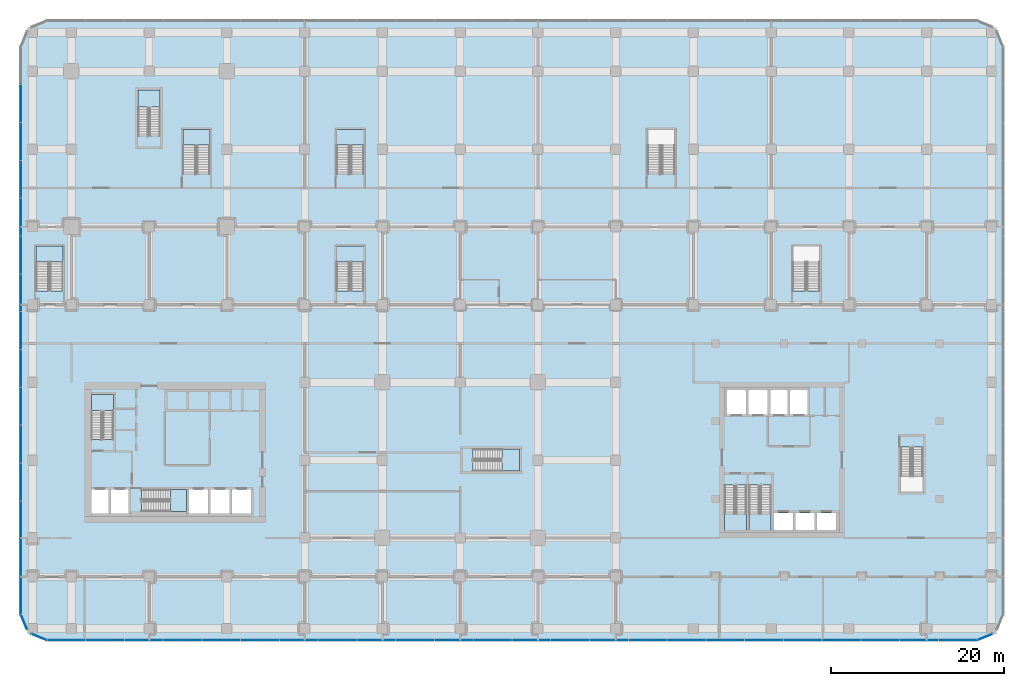
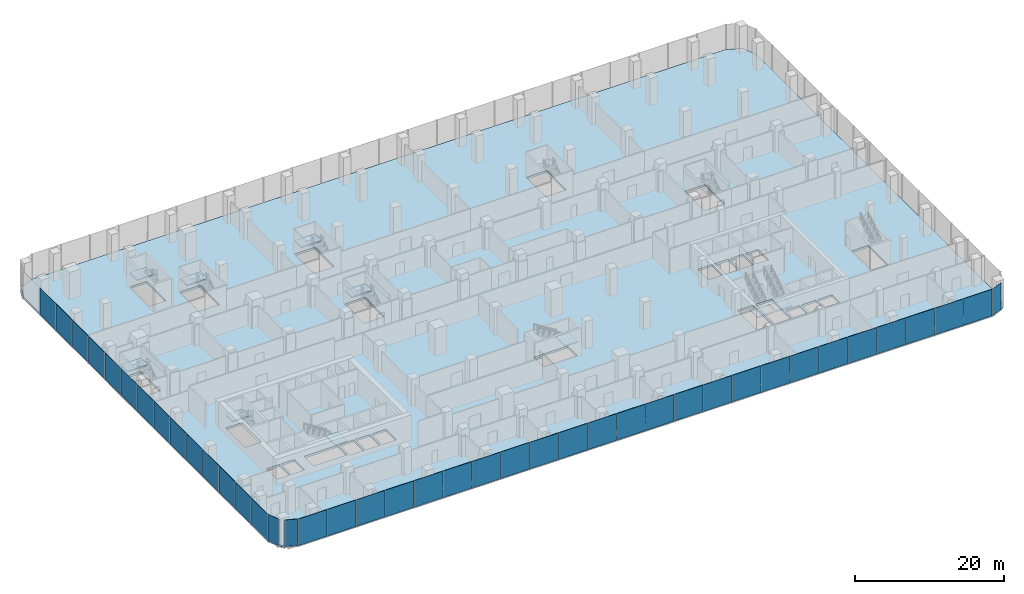
# One storey, part 26 of 43: 41 plates, 11 slabs, 15 elements without a shape of their own.
"""IFC4 building model written with IfcOpenShell, lengths in metres."""

import ifcopenshell
import ifcopenshell.guid

model = None  # the IFC model being written
_history = None  # IfcOwnerHistory: only IFC2X3 demands one
_inside = {}  # id of a spatial element -> (the spatial element, [elements in it])
_under = {}  # id of a project, library or spatial element -> (it, [spatial elements below it])
_declared = {}  # id of a project -> (the project, [libraries it declares])
_typed = {}  # id of a type object -> (the type object, [elements of that type])
_made_of = {}  # id of a material, layer set ... -> (it, [elements and type objects made of it])


def new_model(schema):
    """Start an empty IFC model of exactly this schema.

    Asked for "IFC4X3", IfcOpenShell would pick the latest addendum, in which some entities
    have other attributes; the version numbers below select the first issue.
    IFC2X3 requires an IfcOwnerHistory on every rooted entity: one is made here for all.
    """
    global model, _history
    if schema == "IFC4X3":
        model = ifcopenshell.file(schema_version=(4, 3, 0, 0))
    else:
        model = ifcopenshell.file(schema=schema)
    _inside.clear()
    _under.clear()
    _declared.clear()
    _typed.clear()
    _made_of.clear()
    _history = None
    if model.schema == "IFC2X3":
        org = make("IfcOrganization", Name="unknown")
        user = make(
            "IfcPersonAndOrganization",
            ThePerson=make("IfcPerson", FamilyName="unknown"),
            TheOrganization=org,
        )
        app = make(
            "IfcApplication",
            ApplicationDeveloper=org,
            Version="unknown",
            ApplicationFullName="unknown",
            ApplicationIdentifier="unknown",
        )
        _history = make(
            "IfcOwnerHistory",
            OwningUser=user,
            OwningApplication=app,
            ChangeAction="ADDED",
            CreationDate=0,
        )
    return model


def make(cls, **values):
    """One entity of the class cls with the attributes given. An attribute that is None is left unset."""
    return model.create_entity(
        cls, **{name: value for name, value in values.items() if value is not None}
    )


def rooted(cls, **values):
    """An entity with a GlobalId (a new one), such as an element, a storey or a relation."""
    return make(cls, GlobalId=ifcopenshell.guid.new(), OwnerHistory=_history, **values)


def si_unit(unit_type, name, prefix=None):
    """IfcSIUnit, for example si_unit("LENGTHUNIT", "METRE", prefix="MILLI")."""
    return make("IfcSIUnit", UnitType=unit_type, Prefix=prefix, Name=name)


def assignment(units):
    """IfcUnitAssignment: the units of a project."""
    return None if units is None else make("IfcUnitAssignment", Units=units)


def point(xyz):
    """IfcCartesianPoint."""
    return None if xyz is None else make("IfcCartesianPoint", Coordinates=xyz)


def direction(xyz):
    """IfcDirection."""
    return None if xyz is None else make("IfcDirection", DirectionRatios=xyz)


def frame(location, z_axis=None, x_axis=None):
    """IfcAxis2Placement3D, a coordinate frame: its origin and axes. An axis left out is left unset."""
    return make(
        "IfcAxis2Placement3D",
        Location=point(location),
        Axis=direction(z_axis),
        RefDirection=direction(x_axis),
    )


def frame_2d(location, x_axis=None):
    """IfcAxis2Placement2D, a coordinate frame in the plane: its origin and x axis."""
    return make(
        "IfcAxis2Placement2D", Location=point(location), RefDirection=direction(x_axis)
    )


def origin():
    """The frame at (0, 0, 0) with its axes left unset."""
    return frame((0.0, 0.0, 0.0))


def origin_2d():
    """The frame at (0, 0) in the plane with its x axis left unset."""
    return frame_2d((0.0, 0.0))


def place(relative_to, where):
    """IfcLocalPlacement: puts the frame where relative to a parent placement (None: the world)."""
    return make(
        "IfcLocalPlacement", PlacementRelTo=relative_to, RelativePlacement=where
    )


def context(
    kind, dimensions, precision=None, world=None, true_north=None, identifier=None
):
    """IfcGeometricRepresentationContext, for example the 3D "Model" context."""
    return make(
        "IfcGeometricRepresentationContext",
        ContextIdentifier=identifier,
        ContextType=kind,
        CoordinateSpaceDimension=dimensions,
        Precision=precision,
        WorldCoordinateSystem=world,
        TrueNorth=true_north,
    )


def subcontext(parent, identifier, kind, view, scale=None):
    """IfcGeometricRepresentationSubContext, for example "Body" below "Model"."""
    return make(
        "IfcGeometricRepresentationSubContext",
        ContextIdentifier=identifier,
        ContextType=kind,
        ParentContext=parent,
        TargetScale=scale,
        TargetView=view,
    )


def project(units=None, contexts=None):
    """IfcProject with its units and contexts."""
    return rooted(
        "IfcProject",
        Name="project",
        RepresentationContexts=contexts,
        UnitsInContext=assignment(units),
    )


def spatial(cls, under=None, at=None, **own):
    """A site, building, storey or space (cls), placed at a placement, below another one or the project."""
    s = rooted(cls, ObjectPlacement=at, **own)
    if under is not None:
        _under.setdefault(under.id(), (under, []))[1].append(s)
    return s


def polyline(points):
    """IfcPolyline through the points."""
    return make("IfcPolyline", Points=[point(p) for p in points])


def profile(cls, at=None, kind="AREA", **sizes):
    """A parametric profile (cls). Its sizes go by their IFC names, for example OverallWidth=200.0."""
    return make(cls, ProfileType=kind, Position=at, **sizes)


def rectangle(**sizes):
    """IfcRectangleProfileDef."""
    return profile("IfcRectangleProfileDef", **sizes)


def outline(outer, holes=None, kind="AREA"):
    """IfcArbitraryClosedProfileDef: a profile drawn as a closed curve; with holes, ...WithVoids."""
    if holes is None:
        return make("IfcArbitraryClosedProfileDef", ProfileType=kind, OuterCurve=outer)
    return make(
        "IfcArbitraryProfileDefWithVoids",
        ProfileType=kind,
        OuterCurve=outer,
        InnerCurves=holes,
    )


def extrude(swept, where, along, depth):
    """IfcExtrudedAreaSolid: the profile swept, set in the frame where, extruded along a direction by depth."""
    return make(
        "IfcExtrudedAreaSolid",
        SweptArea=swept,
        Position=where,
        ExtrudedDirection=direction(along),
        Depth=depth,
    )


def shape(context_of_items, identifier, shape_type, items):
    """IfcShapeRepresentation: the items that make up one representation, for example the "Body"."""
    return make(
        "IfcShapeRepresentation",
        ContextOfItems=context_of_items,
        RepresentationIdentifier=identifier,
        RepresentationType=shape_type,
        Items=items,
    )


def material(Name=None, Category=None):
    """IfcMaterial."""
    return make("IfcMaterial", Name=Name, Category=Category)


def layer(
    of_material, thickness, ventilated=None, Name=None, Category=None, Priority=None
):
    """IfcMaterialLayer: one layer of a wall or slab, of a material (None: an air gap)."""
    return make(
        "IfcMaterialLayer",
        Material=of_material,
        LayerThickness=thickness,
        IsVentilated=ventilated,
        Name=Name,
        Category=Category,
        Priority=Priority,
    )


def layer_set(layers, Name=None):
    """IfcMaterialLayerSet."""
    return make("IfcMaterialLayerSet", MaterialLayers=layers, LayerSetName=Name)


def made_of(thing, what):
    """Note that an element or type object is made of a material, layer set ...; save() writes the relation."""
    if what is not None:
        _made_of.setdefault(what.id(), (what, []))[1].append(thing)
    return thing


def type_object(cls, material=None, **own):
    """A type object (cls), such as IfcWallType, which elements share."""
    return made_of(rooted(cls, **own), material)


def element(
    cls,
    number,
    at=None,
    inside=None,
    cuts=None,
    type_object=None,
    material=None,
    context=None,
    identifier="Body",
    shape_type=None,
    held_by="IfcProductDefinitionShape",
    body=None,
    shapes=None,
    **own,
):
    """One element of the class cls, such as IfcWall. Its Tag is "e" and its number.

    at: its placement. inside: the storey or other place that contains it. cuts: it is an
    opening in that element (IfcRelVoidsElement). A single representation is given by context,
    identifier, shape_type and body (its items); several are given by shapes. held_by: the class
    of the entity that holds the representations. save() writes the other relations.
    """
    e = rooted(cls, Tag="e%d" % number, ObjectPlacement=at, **own)
    if body is not None:
        shapes = [shape(context, identifier, shape_type, body)]
    if shapes is not None:
        e.Representation = make(held_by, Representations=shapes)
    if inside is not None:
        _inside.setdefault(inside.id(), (inside, []))[1].append(e)
    if cuts is not None:
        rooted(
            "IfcRelVoidsElement", RelatingBuildingElement=cuts, RelatedOpeningElement=e
        )
    if type_object is not None:
        _typed.setdefault(type_object.id(), (type_object, []))[1].append(e)
    return made_of(e, material)


def aggregate(whole, parts):
    """IfcRelAggregates: a whole, such as a stair, and the parts it consists of."""
    return rooted("IfcRelAggregates", RelatingObject=whole, RelatedObjects=parts)


def save(model, path):
    """Write the relations noted so far, then the file.

    IfcRelAggregates (storeys below a building ...), IfcRelContainedInSpatialStructure (elements
    in a storey), IfcRelDefinesByType, IfcRelAssociatesMaterial and IfcRelDeclares: one each for
    every whole, place, type object, material and project.
    """
    for whole, parts in _under.values():
        aggregate(whole, parts)
    for where, things in _inside.values():
        rooted(
            "IfcRelContainedInSpatialStructure",
            RelatedElements=things,
            RelatingStructure=where,
        )
    for kind, things in _typed.values():
        rooted("IfcRelDefinesByType", RelatedObjects=things, RelatingType=kind)
    for what, things in _made_of.values():
        rooted("IfcRelAssociatesMaterial", RelatedObjects=things, RelatingMaterial=what)
    for by, libraries in _declared.values():
        rooted("IfcRelDeclares", RelatingContext=by, RelatedDefinitions=libraries)
    model.write(path)


model = new_model("IFC4")

# Units and contexts
model_context = context("Model", 3, precision=1e-05, world=origin(), true_north=direction((0.0, 1.0)))
body_context = subcontext(model_context, "Body", "Model", "MODEL_VIEW")
ifc_project = project(units=[si_unit("LENGTHUNIT", "METRE"), si_unit("AREAUNIT", "SQUARE_METRE"), si_unit("VOLUMEUNIT", "CUBIC_METRE"), si_unit("PLANEANGLEUNIT", "RADIAN"), si_unit("MASSUNIT", "GRAM", prefix="KILO")], contexts=[model_context])

# Site, building, storey
site_placement = place(None, origin())
site = spatial("IfcSite", under=ifc_project, at=site_placement, CompositionType="ELEMENT")
building_placement = place(site_placement, origin())
building = spatial("IfcBuilding", under=site, at=building_placement, Name="Plateau Cross Towers", CompositionType="ELEMENT")
storey_placement = place(building_placement, frame((0.0, 0.0, 12.800048828125)))
storey = spatial("IfcBuildingStorey", under=building, at=storey_placement, Name="L02", CompositionType="ELEMENT", Elevation=12.800048828125)

# Curtain wall, plates
ifc_material_1 = material(Name="Dark low-iron laminated glass", Category="glass")
ifc_layer_1 = layer(ifc_material_1, 0.300048828125)
ifc_layer_set_1 = layer_set([ifc_layer_1], Name="Dark low-iron laminated glass")
curtain_wall_type = type_object("IfcCurtainWallType", Name="Curtain wall structural silicone CW-C", PredefinedType="NOTDEFINED", material=ifc_layer_set_1)
curtain_wall_1_placement = place(storey_placement, origin())
curtain_wall_1 = element("IfcCurtainWall", 1, at=curtain_wall_1_placement, inside=storey, type_object=curtain_wall_type, Name="ENV/P/L02/P-28_-118", PredefinedType="NOTDEFINED")
ifc_layer_2 = layer(ifc_material_1, 0.0439453125)
ifc_layer_set_2 = layer_set([ifc_layer_2], Name="Dark low-iron laminated glass")
plate_type = type_object("IfcPlateType", Name="Glass panel 44 structural silicone", PredefinedType="CURTAIN_PANEL", material=ifc_layer_set_2)
plate_1_placement = place(storey_placement, frame((-0.606201171875, -11.85009765625, -0.2001953125), z_axis=(0.0, 0.0, 1.0), x_axis=(1.0, 0.0, 0.0)))
plate_1 = element("IfcPlate", 2, at=plate_1_placement, type_object=plate_type, Name="CW-C panel 1", PredefinedType="CURTAIN_PANEL", context=body_context, shape_type="SweptSolid", body=[
    extrude(rectangle(XDim=4.4375, YDim=0.0439453125, at=origin_2d()), origin(), (0.0, 0.0, 1.0), 4.35009765625),
])
plate_2_placement = place(storey_placement, frame((3.88134765625, -11.85009765625, -0.2001953125), z_axis=(0.0, 0.0, 1.0), x_axis=(1.0, 0.0, 0.0)))
plate_2 = element("IfcPlate", 3, at=plate_2_placement, type_object=plate_type, Name="CW-C panel 2", PredefinedType="CURTAIN_PANEL", context=body_context, shape_type="SweptSolid", body=[
    extrude(rectangle(XDim=4.4375, YDim=0.0439453125, at=origin_2d()), origin(), (0.0, 0.0, 1.0), 4.35009765625),
])
plate_3_placement = place(storey_placement, frame((8.36865234375, -11.85009765625, -0.2001953125), z_axis=(0.0, 0.0, 1.0), x_axis=(1.0, 0.0, 0.0)))
plate_3 = element("IfcPlate", 4, at=plate_3_placement, type_object=plate_type, Name="CW-C panel 3", PredefinedType="CURTAIN_PANEL", context=body_context, shape_type="SweptSolid", body=[
    extrude(rectangle(XDim=4.4375, YDim=0.0439453125, at=origin_2d()), origin(), (0.0, 0.0, 1.0), 4.35009765625),
])
plate_4_placement = place(storey_placement, frame((12.856201171875, -11.85009765625, -0.2001953125), z_axis=(0.0, 0.0, 1.0), x_axis=(1.0, 0.0, 0.0)))
plate_4 = element("IfcPlate", 5, at=plate_4_placement, type_object=plate_type, Name="CW-C panel 4", PredefinedType="CURTAIN_PANEL", context=body_context, shape_type="SweptSolid", body=[
    extrude(rectangle(XDim=4.4375, YDim=0.0439453125, at=origin_2d()), origin(), (0.0, 0.0, 1.0), 4.35009765625),
])
plate_5_placement = place(storey_placement, frame((17.34375, -11.85009765625, -0.2001953125), z_axis=(0.0, 0.0, 1.0), x_axis=(1.0, 0.0, 0.0)))
plate_5 = element("IfcPlate", 6, at=plate_5_placement, type_object=plate_type, Name="CW-C panel 5", PredefinedType="CURTAIN_PANEL", context=body_context, shape_type="SweptSolid", body=[
    extrude(rectangle(XDim=4.4375, YDim=0.0439453125, at=origin_2d()), origin(), (0.0, 0.0, 1.0), 4.35009765625),
])
plate_6_placement = place(storey_placement, frame((21.831298828125, -11.85009765625, -0.2001953125), z_axis=(0.0, 0.0, 1.0), x_axis=(1.0, 0.0, 0.0)))
plate_6 = element("IfcPlate", 7, at=plate_6_placement, type_object=plate_type, Name="CW-C panel 6", PredefinedType="CURTAIN_PANEL", context=body_context, shape_type="SweptSolid", body=[
    extrude(rectangle(XDim=4.4375, YDim=0.0439453125, at=origin_2d()), origin(), (0.0, 0.0, 1.0), 4.35009765625),
])
plate_7_placement = place(storey_placement, frame((26.31884765625, -11.85009765625, -0.2001953125), z_axis=(0.0, 0.0, 1.0), x_axis=(1.0, 0.0, 0.0)))
plate_7 = element("IfcPlate", 8, at=plate_7_placement, type_object=plate_type, Name="CW-C panel 7", PredefinedType="CURTAIN_PANEL", context=body_context, shape_type="SweptSolid", body=[
    extrude(rectangle(XDim=4.4375, YDim=0.0439453125, at=origin_2d()), origin(), (0.0, 0.0, 1.0), 4.35009765625),
])
plate_8_placement = place(storey_placement, frame((30.80615234375, -11.85009765625, -0.2001953125), z_axis=(0.0, 0.0, 1.0), x_axis=(1.0, 0.0, 0.0)))
plate_8 = element("IfcPlate", 9, at=plate_8_placement, type_object=plate_type, Name="CW-C panel 8", PredefinedType="CURTAIN_PANEL", context=body_context, shape_type="SweptSolid", body=[
    extrude(rectangle(XDim=4.4375, YDim=0.0439453125, at=origin_2d()), origin(), (0.0, 0.0, 1.0), 4.35009765625),
])
plate_9_placement = place(storey_placement, frame((35.293701171875, -11.85009765625, -0.2001953125), z_axis=(0.0, 0.0, 1.0), x_axis=(1.0, 0.0, 0.0)))
plate_9 = element("IfcPlate", 10, at=plate_9_placement, type_object=plate_type, Name="CW-C panel 9", PredefinedType="CURTAIN_PANEL", context=body_context, shape_type="SweptSolid", body=[
    extrude(rectangle(XDim=4.4375, YDim=0.0439453125, at=origin_2d()), origin(), (0.0, 0.0, 1.0), 4.35009765625),
])
plate_10_placement = place(storey_placement, frame((39.78125, -11.85009765625, -0.2001953125), z_axis=(0.0, 0.0, 1.0), x_axis=(1.0, 0.0, 0.0)))
plate_10 = element("IfcPlate", 11, at=plate_10_placement, type_object=plate_type, Name="CW-C panel 10", PredefinedType="CURTAIN_PANEL", context=body_context, shape_type="SweptSolid", body=[
    extrude(rectangle(XDim=4.4375, YDim=0.0439453125, at=origin_2d()), origin(), (0.0, 0.0, 1.0), 4.35009765625),
])
plate_11_placement = place(storey_placement, frame((44.268798828125, -11.85009765625, -0.2001953125), z_axis=(0.0, 0.0, 1.0), x_axis=(1.0, 0.0, 0.0)))
plate_11 = element("IfcPlate", 12, at=plate_11_placement, type_object=plate_type, Name="CW-C panel 11", PredefinedType="CURTAIN_PANEL", context=body_context, shape_type="SweptSolid", body=[
    extrude(rectangle(XDim=4.4375, YDim=0.0439453125, at=origin_2d()), origin(), (0.0, 0.0, 1.0), 4.35009765625),
])
plate_12_placement = place(storey_placement, frame((48.75634765625, -11.85009765625, -0.2001953125), z_axis=(0.0, 0.0, 1.0), x_axis=(1.0, 0.0, 0.0)))
plate_12 = element("IfcPlate", 13, at=plate_12_placement, type_object=plate_type, Name="CW-C panel 12", PredefinedType="CURTAIN_PANEL", context=body_context, shape_type="SweptSolid", body=[
    extrude(rectangle(XDim=4.4375, YDim=0.0439453125, at=origin_2d()), origin(), (0.0, 0.0, 1.0), 4.35009765625),
])
plate_13_placement = place(storey_placement, frame((53.24365234375, -11.85009765625, -0.2001953125), z_axis=(0.0, 0.0, 1.0), x_axis=(1.0, 0.0, 0.0)))
plate_13 = element("IfcPlate", 14, at=plate_13_placement, type_object=plate_type, Name="CW-C panel 13", PredefinedType="CURTAIN_PANEL", context=body_context, shape_type="SweptSolid", body=[
    extrude(rectangle(XDim=4.4375, YDim=0.0439453125, at=origin_2d()), origin(), (0.0, 0.0, 1.0), 4.35009765625),
])
plate_14_placement = place(storey_placement, frame((57.731201171875, -11.85009765625, -0.2001953125), z_axis=(0.0, 0.0, 1.0), x_axis=(1.0, 0.0, 0.0)))
plate_14 = element("IfcPlate", 15, at=plate_14_placement, type_object=plate_type, Name="CW-C panel 14", PredefinedType="CURTAIN_PANEL", context=body_context, shape_type="SweptSolid", body=[
    extrude(rectangle(XDim=4.4375, YDim=0.0439453125, at=origin_2d()), origin(), (0.0, 0.0, 1.0), 4.35009765625),
])
plate_15_placement = place(storey_placement, frame((62.21875, -11.85009765625, -0.2001953125), z_axis=(0.0, 0.0, 1.0), x_axis=(1.0, 0.0, 0.0)))
plate_15 = element("IfcPlate", 16, at=plate_15_placement, type_object=plate_type, Name="CW-C panel 15", PredefinedType="CURTAIN_PANEL", context=body_context, shape_type="SweptSolid", body=[
    extrude(rectangle(XDim=4.4375, YDim=0.0439453125, at=origin_2d()), origin(), (0.0, 0.0, 1.0), 4.35009765625),
])
plate_16_placement = place(storey_placement, frame((66.706298828125, -11.85009765625, -0.2001953125), z_axis=(0.0, 0.0, 1.0), x_axis=(1.0, 0.0, 0.0)))
plate_16 = element("IfcPlate", 17, at=plate_16_placement, type_object=plate_type, Name="CW-C panel 16", PredefinedType="CURTAIN_PANEL", context=body_context, shape_type="SweptSolid", body=[
    extrude(rectangle(XDim=4.4375, YDim=0.0439453125, at=origin_2d()), origin(), (0.0, 0.0, 1.0), 4.35009765625),
])
plate_17_placement = place(storey_placement, frame((71.19384765625, -11.85009765625, -0.2001953125), z_axis=(0.0, 0.0, 1.0), x_axis=(1.0, 0.0, 0.0)))
plate_17 = element("IfcPlate", 18, at=plate_17_placement, type_object=plate_type, Name="CW-C panel 17", PredefinedType="CURTAIN_PANEL", context=body_context, shape_type="SweptSolid", body=[
    extrude(rectangle(XDim=4.4375, YDim=0.0439453125, at=origin_2d()), origin(), (0.0, 0.0, 1.0), 4.35009765625),
])
plate_18_placement = place(storey_placement, frame((75.68115234375, -11.85009765625, -0.2001953125), z_axis=(0.0, 0.0, 1.0), x_axis=(1.0, 0.0, 0.0)))
plate_18 = element("IfcPlate", 19, at=plate_18_placement, type_object=plate_type, Name="CW-C panel 18", PredefinedType="CURTAIN_PANEL", context=body_context, shape_type="SweptSolid", body=[
    extrude(rectangle(XDim=4.4375, YDim=0.0439453125, at=origin_2d()), origin(), (0.0, 0.0, 1.0), 4.35009765625),
])
plate_19_placement = place(storey_placement, frame((80.168701171875, -11.85009765625, -0.2001953125), z_axis=(0.0, 0.0, 1.0), x_axis=(1.0, 0.0, 0.0)))
plate_19 = element("IfcPlate", 20, at=plate_19_placement, type_object=plate_type, Name="CW-C panel 19", PredefinedType="CURTAIN_PANEL", context=body_context, shape_type="SweptSolid", body=[
    extrude(rectangle(XDim=4.4375, YDim=0.0439453125, at=origin_2d()), origin(), (0.0, 0.0, 1.0), 4.35009765625),
])
plate_20_placement = place(storey_placement, frame((84.65625, -11.85009765625, -0.2001953125), z_axis=(0.0, 0.0, 1.0), x_axis=(1.0, 0.0, 0.0)))
plate_20 = element("IfcPlate", 21, at=plate_20_placement, type_object=plate_type, Name="CW-C panel 20", PredefinedType="CURTAIN_PANEL", context=body_context, shape_type="SweptSolid", body=[
    extrude(rectangle(XDim=4.4375, YDim=0.0439453125, at=origin_2d()), origin(), (0.0, 0.0, 1.0), 4.35009765625),
])
plate_21_placement = place(storey_placement, frame((89.143798828125, -11.85009765625, -0.2001953125), z_axis=(0.0, 0.0, 1.0), x_axis=(1.0, 0.0, 0.0)))
plate_21 = element("IfcPlate", 22, at=plate_21_placement, type_object=plate_type, Name="CW-C panel 21", PredefinedType="CURTAIN_PANEL", context=body_context, shape_type="SweptSolid", body=[
    extrude(rectangle(XDim=4.4375, YDim=0.0439453125, at=origin_2d()), origin(), (0.0, 0.0, 1.0), 4.35009765625),
])
plate_22_placement = place(storey_placement, frame((93.63134765625, -11.85009765625, -0.2001953125), z_axis=(0.0, 0.0, 1.0), x_axis=(1.0, 0.0, 0.0)))
plate_22 = element("IfcPlate", 23, at=plate_22_placement, type_object=plate_type, Name="CW-C panel 22", PredefinedType="CURTAIN_PANEL", context=body_context, shape_type="SweptSolid", body=[
    extrude(rectangle(XDim=4.4375, YDim=0.0439453125, at=origin_2d()), origin(), (0.0, 0.0, 1.0), 4.35009765625),
])
plate_23_placement = place(storey_placement, frame((98.11865234375, -11.85009765625, -0.2001953125), z_axis=(0.0, 0.0, 1.0), x_axis=(1.0, 0.0, 0.0)))
plate_23 = element("IfcPlate", 24, at=plate_23_placement, type_object=plate_type, Name="CW-C panel 23", PredefinedType="CURTAIN_PANEL", context=body_context, shape_type="SweptSolid", body=[
    extrude(rectangle(XDim=4.4375, YDim=0.0439453125, at=origin_2d()), origin(), (0.0, 0.0, 1.0), 4.35009765625),
])
plate_24_placement = place(storey_placement, frame((102.606201171875, -11.85009765625, -0.2001953125), z_axis=(0.0, 0.0, 1.0), x_axis=(1.0, 0.0, 0.0)))
plate_24 = element("IfcPlate", 25, at=plate_24_placement, type_object=plate_type, Name="CW-C panel 24", PredefinedType="CURTAIN_PANEL", context=body_context, shape_type="SweptSolid", body=[
    extrude(rectangle(XDim=4.4375, YDim=0.0439453125, at=origin_2d()), origin(), (0.0, 0.0, 1.0), 4.35009765625),
])
aggregate(curtain_wall_1, [plate_1, plate_2, plate_3, plate_4, plate_5, plate_6, plate_7, plate_8, plate_9, plate_10, plate_11, plate_12, plate_13, plate_14, plate_15, plate_16, plate_17, plate_18, plate_19, plate_20, plate_21, plate_22, plate_23, plate_24])

# Curtain wall, plate
curtain_wall_2_placement = place(storey_placement, origin())
curtain_wall_2 = element("IfcCurtainWall", 26, at=curtain_wall_2_placement, inside=storey, type_object=curtain_wall_type, Name="ENV/P/L02/P1048_-118", PredefinedType="NOTDEFINED")
plate_25_placement = place(storey_placement, frame((105.731201171875, -11.485107421875, -0.2001953125), z_axis=(0.0, 0.0, 1.0), x_axis=(0.923879457699, 0.382683612978, 0.0)))
plate_25 = element("IfcPlate", 27, at=plate_25_placement, type_object=plate_type, Name="CW-C panel 1", PredefinedType="CURTAIN_PANEL", context=body_context, shape_type="SweptSolid", body=[
    extrude(rectangle(XDim=1.857666015625, YDim=0.0439453125, at=origin_2d()), origin(), (0.0, 0.0, 1.0), 4.35009765625),
])
aggregate(curtain_wall_2, [plate_25])

# Curtain wall, plates
curtain_wall_3_placement = place(storey_placement, origin())
curtain_wall_3 = element("IfcCurtainWall", 28, at=curtain_wall_3_placement, inside=storey, type_object=curtain_wall_type, Name="ENV/P/L02/P-58_568", PredefinedType="NOTDEFINED")
plate_26_placement = place(storey_placement, frame((-5.85009765625, 50.280029296875, -0.2001953125), z_axis=(0.0, 0.0, 1.0), x_axis=(0.0, -1.0, 0.0)))
plate_26 = element("IfcPlate", 29, at=plate_26_placement, type_object=plate_type, Name="CW-C panel 2", PredefinedType="CURTAIN_PANEL", context=body_context, shape_type="SweptSolid", body=[
    extrude(rectangle(XDim=4.330078125, YDim=0.0439453125, at=origin_2d()), origin(), (0.0, 0.0, 1.0), 4.35009765625),
])
plate_27_placement = place(storey_placement, frame((-5.85009765625, 45.89990234375, -0.2001953125), z_axis=(0.0, 0.0, 1.0), x_axis=(0.0, -1.0, 0.0)))
plate_27 = element("IfcPlate", 30, at=plate_27_placement, type_object=plate_type, Name="CW-C panel 3", PredefinedType="CURTAIN_PANEL", context=body_context, shape_type="SweptSolid", body=[
    extrude(rectangle(XDim=4.330078125, YDim=0.0439453125, at=origin_2d()), origin(), (0.0, 0.0, 1.0), 4.35009765625),
])
plate_28_placement = place(storey_placement, frame((-5.85009765625, 41.52001953125, -0.2001953125), z_axis=(0.0, 0.0, 1.0), x_axis=(0.0, -1.0, 0.0)))
plate_28 = element("IfcPlate", 31, at=plate_28_placement, type_object=plate_type, Name="CW-C panel 4", PredefinedType="CURTAIN_PANEL", context=body_context, shape_type="SweptSolid", body=[
    extrude(rectangle(XDim=4.330078125, YDim=0.0439453125, at=origin_2d()), origin(), (0.0, 0.0, 1.0), 4.35009765625),
])
plate_29_placement = place(storey_placement, frame((-5.85009765625, 37.139892578125, -0.2001953125), z_axis=(0.0, 0.0, 1.0), x_axis=(0.0, -1.0, 0.0)))
plate_29 = element("IfcPlate", 32, at=plate_29_placement, type_object=plate_type, Name="CW-C panel 5", PredefinedType="CURTAIN_PANEL", context=body_context, shape_type="SweptSolid", body=[
    extrude(rectangle(XDim=4.330078125, YDim=0.0439453125, at=origin_2d()), origin(), (0.0, 0.0, 1.0), 4.35009765625),
])
plate_30_placement = place(storey_placement, frame((-5.85009765625, 32.760009765625, -0.2001953125), z_axis=(0.0, 0.0, 1.0), x_axis=(0.0, -1.0, 0.0)))
plate_30 = element("IfcPlate", 33, at=plate_30_placement, type_object=plate_type, Name="CW-C panel 6", PredefinedType="CURTAIN_PANEL", context=body_context, shape_type="SweptSolid", body=[
    extrude(rectangle(XDim=4.330078125, YDim=0.0439453125, at=origin_2d()), origin(), (0.0, 0.0, 1.0), 4.35009765625),
])
plate_31_placement = place(storey_placement, frame((-5.85009765625, 28.3798828125, -0.2001953125), z_axis=(0.0, 0.0, 1.0), x_axis=(0.0, -1.0, 0.0)))
plate_31 = element("IfcPlate", 34, at=plate_31_placement, type_object=plate_type, Name="CW-C panel 7", PredefinedType="CURTAIN_PANEL", context=body_context, shape_type="SweptSolid", body=[
    extrude(rectangle(XDim=4.330078125, YDim=0.0439453125, at=origin_2d()), origin(), (0.0, 0.0, 1.0), 4.35009765625),
])
plate_32_placement = place(storey_placement, frame((-5.85009765625, 24.0, -0.2001953125), z_axis=(0.0, 0.0, 1.0), x_axis=(0.0, -1.0, 0.0)))
plate_32 = element("IfcPlate", 35, at=plate_32_placement, type_object=plate_type, Name="CW-C panel 8", PredefinedType="CURTAIN_PANEL", context=body_context, shape_type="SweptSolid", body=[
    extrude(rectangle(XDim=4.330078125, YDim=0.0439453125, at=origin_2d()), origin(), (0.0, 0.0, 1.0), 4.35009765625),
])
plate_33_placement = place(storey_placement, frame((-5.85009765625, 19.6201171875, -0.2001953125), z_axis=(0.0, 0.0, 1.0), x_axis=(0.0, -1.0, 0.0)))
plate_33 = element("IfcPlate", 36, at=plate_33_placement, type_object=plate_type, Name="CW-C panel 9", PredefinedType="CURTAIN_PANEL", context=body_context, shape_type="SweptSolid", body=[
    extrude(rectangle(XDim=4.330078125, YDim=0.0439453125, at=origin_2d()), origin(), (0.0, 0.0, 1.0), 4.35009765625),
])
plate_34_placement = place(storey_placement, frame((-5.85009765625, 15.239990234375, -0.2001953125), z_axis=(0.0, 0.0, 1.0), x_axis=(0.0, -1.0, 0.0)))
plate_34 = element("IfcPlate", 37, at=plate_34_placement, type_object=plate_type, Name="CW-C panel 10", PredefinedType="CURTAIN_PANEL", context=body_context, shape_type="SweptSolid", body=[
    extrude(rectangle(XDim=4.330078125, YDim=0.0439453125, at=origin_2d()), origin(), (0.0, 0.0, 1.0), 4.35009765625),
])
plate_35_placement = place(storey_placement, frame((-5.85009765625, 10.860107421875, -0.2001953125), z_axis=(0.0, 0.0, 1.0), x_axis=(0.0, -1.0, 0.0)))
plate_35 = element("IfcPlate", 38, at=plate_35_placement, type_object=plate_type, Name="CW-C panel 11", PredefinedType="CURTAIN_PANEL", context=body_context, shape_type="SweptSolid", body=[
    extrude(rectangle(XDim=4.330078125, YDim=0.0439453125, at=origin_2d()), origin(), (0.0, 0.0, 1.0), 4.35009765625),
])
plate_36_placement = place(storey_placement, frame((-5.85009765625, 6.47998046875, -0.2001953125), z_axis=(0.0, 0.0, 1.0), x_axis=(0.0, -1.0, 0.0)))
plate_36 = element("IfcPlate", 39, at=plate_36_placement, type_object=plate_type, Name="CW-C panel 12", PredefinedType="CURTAIN_PANEL", context=body_context, shape_type="SweptSolid", body=[
    extrude(rectangle(XDim=4.330078125, YDim=0.0439453125, at=origin_2d()), origin(), (0.0, 0.0, 1.0), 4.35009765625),
])
plate_37_placement = place(storey_placement, frame((-5.85009765625, 2.10009765625, -0.2001953125), z_axis=(0.0, 0.0, 1.0), x_axis=(0.0, -1.0, 0.0)))
plate_37 = element("IfcPlate", 40, at=plate_37_placement, type_object=plate_type, Name="CW-C panel 13", PredefinedType="CURTAIN_PANEL", context=body_context, shape_type="SweptSolid", body=[
    extrude(rectangle(XDim=4.330078125, YDim=0.0439453125, at=origin_2d()), origin(), (0.0, 0.0, 1.0), 4.35009765625),
])
plate_38_placement = place(storey_placement, frame((-5.85009765625, -2.280029296875, -0.2001953125), z_axis=(0.0, 0.0, 1.0), x_axis=(0.0, -1.0, 0.0)))
plate_38 = element("IfcPlate", 41, at=plate_38_placement, type_object=plate_type, Name="CW-C panel 14", PredefinedType="CURTAIN_PANEL", context=body_context, shape_type="SweptSolid", body=[
    extrude(rectangle(XDim=4.330078125, YDim=0.0439453125, at=origin_2d()), origin(), (0.0, 0.0, 1.0), 4.35009765625),
])
plate_39_placement = place(storey_placement, frame((-5.85009765625, -6.659912109375, -0.2001953125), z_axis=(0.0, 0.0, 1.0), x_axis=(0.0, -1.0, 0.0)))
plate_39 = element("IfcPlate", 42, at=plate_39_placement, type_object=plate_type, Name="CW-C panel 15", PredefinedType="CURTAIN_PANEL", context=body_context, shape_type="SweptSolid", body=[
    extrude(rectangle(XDim=4.330078125, YDim=0.0439453125, at=origin_2d()), origin(), (0.0, 0.0, 1.0), 4.35009765625),
])
aggregate(curtain_wall_3, [plate_26, plate_27, plate_28, plate_29, plate_30, plate_31, plate_32, plate_33, plate_34, plate_35, plate_36, plate_37, plate_38, plate_39])

# Curtain wall, plate
curtain_wall_4_placement = place(storey_placement, origin())
curtain_wall_4 = element("IfcCurtainWall", 43, at=curtain_wall_4_placement, inside=storey, type_object=curtain_wall_type, Name="ENV/P/L02/P-58_-88", PredefinedType="NOTDEFINED")
plate_40_placement = place(storey_placement, frame((-5.485107421875, -9.731201171875, -0.2001953125), z_axis=(0.0, 0.0, 1.0), x_axis=(0.382683612978, -0.923879457699, 0.0)))
plate_40 = element("IfcPlate", 44, at=plate_40_placement, type_object=plate_type, Name="CW-C panel 1", PredefinedType="CURTAIN_PANEL", context=body_context, shape_type="SweptSolid", body=[
    extrude(rectangle(XDim=1.857666015625, YDim=0.0439453125, at=origin_2d()), origin(), (0.0, 0.0, 1.0), 4.35009765625),
])
aggregate(curtain_wall_4, [plate_40])

curtain_wall_5_placement = place(storey_placement, origin())
curtain_wall_5 = element("IfcCurtainWall", 45, at=curtain_wall_5_placement, inside=storey, type_object=curtain_wall_type, Name="ENV/P/L02/P-46_-111", PredefinedType="NOTDEFINED")
plate_41_placement = place(storey_placement, frame((-3.731201171875, -11.485107421875, -0.2001953125), z_axis=(0.0, 0.0, 1.0), x_axis=(0.923879457699, -0.382683612978, 0.0)))
plate_41 = element("IfcPlate", 46, at=plate_41_placement, type_object=plate_type, Name="CW-C panel 1", PredefinedType="CURTAIN_PANEL", context=body_context, shape_type="SweptSolid", body=[
    extrude(rectangle(XDim=1.857666015625, YDim=0.0439453125, at=origin_2d()), origin(), (0.0, 0.0, 1.0), 4.35009765625),
])
aggregate(curtain_wall_5, [plate_41])

# Slab
ifc_material_2 = material(Name="Concrete C40/50", Category="concrete")
ifc_layer_3 = layer(ifc_material_2, 0.35009765625)
ifc_layer_set_3 = layer_set([ifc_layer_3], Name="Concrete C40/50")
slab_type_1 = type_object("IfcSlabType", Name="Post-tensioned flat plate slab 350", PredefinedType="FLOOR", material=ifc_layer_set_3)
slab_1_placement = place(storey_placement, frame((0.0, 0.0, -0.35009765625)))
element("IfcSlab", 47, at=slab_1_placement, inside=storey, type_object=slab_type_1, Name="SL-P-L02", PredefinedType="FLOOR", context=body_context, shape_type="SweptSolid", body=[
    extrude(outline(polyline([(-4.971435546875, -10.971435546875), (-5.85009765625, -8.85009765625), (-5.85009765625, 56.85009765625), (-4.971435546875, 58.971435546875), (-2.85009765625, 59.85009765625), (104.85009765625, 59.85009765625), (106.971435546875, 58.971435546875), (107.85009765625, 56.85009765625), (107.85009765625, -8.85009765625), (106.971435546875, -10.971435546875), (104.85009765625, -11.85009765625), (-2.85009765625, -11.85009765625), (-4.971435546875, -10.971435546875)]), holes=[polyline([(4.300048828125, 2.800048828125), (4.300048828125, 5.60009765625), (2.300048828125, 5.60009765625), (2.300048828125, 2.800048828125), (4.300048828125, 2.800048828125)]), polyline([(4.60009765625, 2.800048828125), (6.60009765625, 2.800048828125), (6.60009765625, 5.60009765625), (4.60009765625, 5.60009765625), (4.60009765625, 2.800048828125)]), polyline([(13.60009765625, 2.800048828125), (15.800048828125, 2.800048828125), (15.800048828125, 5.60009765625), (13.60009765625, 5.60009765625), (13.60009765625, 2.800048828125)]), polyline([(18.300048828125, 2.800048828125), (18.300048828125, 5.60009765625), (16.10009765625, 5.60009765625), (16.10009765625, 2.800048828125), (18.300048828125, 2.800048828125)]), polyline([(18.60009765625, 2.800048828125), (20.800048828125, 2.800048828125), (20.800048828125, 5.60009765625), (18.60009765625, 5.60009765625), (18.60009765625, 2.800048828125)]), polyline([(8.10009765625, 3.050048828125), (13.300048828125, 3.050048828125), (13.300048828125, 5.60009765625), (8.10009765625, 5.60009765625), (8.10009765625, 3.050048828125)]), polyline([(51.699951171875, 7.72509765625), (51.699951171875, 10.27490234375), (46.5, 10.27490234375), (46.5, 7.72509765625), (51.699951171875, 7.72509765625)]), polyline([(4.85009765625, 11.39990234375), (4.85009765625, 16.60009765625), (2.300048828125, 16.60009765625), (2.300048828125, 11.39990234375), (4.85009765625, 11.39990234375)]), polyline([(-0.949951171875, 28.60009765625), (-0.949951171875, 33.800048828125), (-4.10009765625, 33.800048828125), (-4.10009765625, 28.60009765625), (-0.949951171875, 28.60009765625)]), polyline([(33.85009765625, 33.800048828125), (30.699951171875, 33.800048828125), (30.699951171875, 28.60009765625), (33.85009765625, 28.60009765625), (33.85009765625, 33.800048828125)]), polyline([(16.050048828125, 42.10009765625), (16.050048828125, 47.300048828125), (12.89990234375, 47.300048828125), (12.89990234375, 42.10009765625), (16.050048828125, 42.10009765625)]), polyline([(33.85009765625, 42.10009765625), (33.85009765625, 47.300048828125), (30.699951171875, 47.300048828125), (30.699951171875, 42.10009765625), (33.85009765625, 42.10009765625)]), polyline([(10.27490234375, 51.699951171875), (7.72509765625, 51.699951171875), (7.72509765625, 46.5), (10.27490234375, 46.5), (10.27490234375, 51.699951171875)]), polyline([(81.300048828125, 0.89990234375), (83.5, 0.89990234375), (83.5, 2.89990234375), (81.300048828125, 2.89990234375), (81.300048828125, 0.89990234375)]), polyline([(83.800048828125, 0.89990234375), (86.0, 0.89990234375), (86.0, 2.89990234375), (83.800048828125, 2.89990234375), (83.800048828125, 0.89990234375)]), polyline([(88.5, 0.89990234375), (88.5, 2.89990234375), (86.300048828125, 2.89990234375), (86.300048828125, 0.89990234375), (88.5, 0.89990234375)]), polyline([(75.60009765625, 6.10009765625), (75.60009765625, 0.89990234375), (78.14990234375, 0.89990234375), (78.14990234375, 6.10009765625), (75.60009765625, 6.10009765625)]), polyline([(78.449951171875, 6.10009765625), (78.449951171875, 0.89990234375), (81.0, 0.89990234375), (81.0, 6.10009765625), (78.449951171875, 6.10009765625)]), polyline([(96.0, 5.300048828125), (98.550048828125, 5.300048828125), (98.550048828125, 10.5), (96.0, 10.5), (96.0, 5.300048828125)]), polyline([(75.89990234375, 14.300048828125), (78.10009765625, 14.300048828125), (78.10009765625, 17.10009765625), (75.89990234375, 17.10009765625), (75.89990234375, 14.300048828125)]), polyline([(78.39990234375, 14.300048828125), (80.60009765625, 14.300048828125), (80.60009765625, 17.10009765625), (78.39990234375, 17.10009765625), (78.39990234375, 14.300048828125)]), polyline([(80.89990234375, 14.300048828125), (82.89990234375, 14.300048828125), (82.89990234375, 17.10009765625), (80.89990234375, 17.10009765625), (80.89990234375, 14.300048828125)]), polyline([(83.199951171875, 14.300048828125), (85.199951171875, 14.300048828125), (85.199951171875, 17.10009765625), (83.199951171875, 17.10009765625), (83.199951171875, 14.300048828125)]), polyline([(86.64990234375, 28.60009765625), (86.64990234375, 33.800048828125), (83.5, 33.800048828125), (83.5, 28.60009765625), (86.64990234375, 28.60009765625)]), polyline([(69.85009765625, 42.10009765625), (69.85009765625, 47.300048828125), (66.699951171875, 47.300048828125), (66.699951171875, 42.10009765625), (69.85009765625, 42.10009765625)])]), origin(), (0.0, 0.0, 1.0), 0.35009765625),
])

# Stair, slab
stair_type_1 = type_object("IfcStairType", Name="ST-TWR", PredefinedType="HALF_TURN_STAIR", material=ifc_material_2)
stair_1_placement = place(storey_placement, origin())
stair_1 = element("IfcStair", 48, at=stair_1_placement, inside=storey, type_object=stair_type_1, Name="L02 Protected Exit Stair ST-1", PredefinedType="HALF_TURN_STAIR")
ifc_layer_4 = layer(ifc_material_2, 0.199951171875)
ifc_layer_set_4 = layer_set([ifc_layer_4], Name="Concrete C40/50")
slab_type_2 = type_object("IfcSlabType", Name="SL-LANDING", PredefinedType="LANDING", material=ifc_layer_set_4)
slab_2_placement = place(storey_placement, frame((0.0, 0.0, 2.050048828125)))
slab_2 = element("IfcSlab", 49, at=slab_2_placement, type_object=slab_type_2, Name="ST-1 landing 1", PredefinedType="LANDING", context=body_context, shape_type="SweptSolid", body=[
    extrude(outline(polyline([(4.85009765625, 14.760009765625), (4.85009765625, 16.60009765625), (2.300048828125, 16.60009765625), (2.300048828125, 14.760009765625), (4.85009765625, 14.760009765625)])), origin(), (0.0, 0.0, 1.0), 0.199951171875),
])
aggregate(stair_1, [slab_2])

stair_2_placement = place(storey_placement, origin())
stair_2 = element("IfcStair", 50, at=stair_2_placement, inside=storey, type_object=stair_type_1, Name="L02 Protected Exit Stair ST-2", PredefinedType="HALF_TURN_STAIR")
slab_3_placement = place(storey_placement, frame((0.0, 0.0, 2.050048828125)))
slab_3 = element("IfcSlab", 51, at=slab_3_placement, type_object=slab_type_2, Name="ST-2 landing 1", PredefinedType="LANDING", context=body_context, shape_type="SweptSolid", body=[
    extrude(outline(polyline([(11.4599609375, 3.050048828125), (13.300048828125, 3.050048828125), (13.300048828125, 5.60009765625), (11.4599609375, 5.60009765625), (11.4599609375, 3.050048828125)])), origin(), (0.0, 0.0, 1.0), 0.199951171875),
])
aggregate(stair_2, [slab_3])

stair_3_placement = place(storey_placement, origin())
stair_3 = element("IfcStair", 52, at=stair_3_placement, inside=storey, type_object=stair_type_1, Name="L02 Protected Exit Stair SB-1", PredefinedType="HALF_TURN_STAIR")
slab_4_placement = place(storey_placement, frame((0.0, 0.0, 2.050048828125)))
slab_4 = element("IfcSlab", 53, at=slab_4_placement, type_object=slab_type_2, Name="SB-1 landing 1", PredefinedType="LANDING", context=body_context, shape_type="SweptSolid", body=[
    extrude(outline(polyline([(75.60009765625, 2.739990234375), (75.60009765625, 0.60009765625), (78.14990234375, 0.60009765625), (78.14990234375, 2.739990234375), (75.60009765625, 2.739990234375)])), origin(), (0.0, 0.0, 1.0), 0.199951171875),
])
aggregate(stair_3, [slab_4])

stair_4_placement = place(storey_placement, origin())
stair_4 = element("IfcStair", 54, at=stair_4_placement, inside=storey, type_object=stair_type_1, Name="L02 Protected Exit Stair SB-2", PredefinedType="HALF_TURN_STAIR")
slab_5_placement = place(storey_placement, frame((0.0, 0.0, 2.050048828125)))
slab_5 = element("IfcSlab", 55, at=slab_5_placement, type_object=slab_type_2, Name="SB-2 landing 1", PredefinedType="LANDING", context=body_context, shape_type="SweptSolid", body=[
    extrude(outline(polyline([(78.449951171875, 2.739990234375), (78.449951171875, 0.60009765625), (81.0, 0.60009765625), (81.0, 2.739990234375), (78.449951171875, 2.739990234375)])), origin(), (0.0, 0.0, 1.0), 0.199951171875),
])
aggregate(stair_4, [slab_5])

stair_5_placement = place(storey_placement, origin())
stair_5 = element("IfcStair", 56, at=stair_5_placement, inside=storey, type_object=stair_type_1, Name="L02 Protected Exit Stair E", PredefinedType="HALF_TURN_STAIR")
slab_6_placement = place(storey_placement, frame((0.0, 0.0, 2.050048828125)))
slab_6 = element("IfcSlab", 57, at=slab_6_placement, type_object=slab_type_2, Name="ES-E landing 1", PredefinedType="LANDING", context=body_context, shape_type="SweptSolid", body=[
    extrude(outline(polyline([(49.860107421875, 7.72509765625), (51.85009765625, 7.72509765625), (51.85009765625, 10.27490234375), (49.860107421875, 10.27490234375), (49.860107421875, 7.72509765625)])), origin(), (0.0, 0.0, 1.0), 0.199951171875),
])
aggregate(stair_5, [slab_6])

stair_6_placement = place(storey_placement, origin())
stair_6 = element("IfcStair", 58, at=stair_6_placement, inside=storey, type_object=stair_type_1, Name="L02 Protected Exit Stair N", PredefinedType="HALF_TURN_STAIR")
slab_7_placement = place(storey_placement, frame((0.0, 0.0, 2.050048828125)))
slab_7 = element("IfcSlab", 59, at=slab_7_placement, type_object=slab_type_2, Name="ES-N landing 1", PredefinedType="LANDING", context=body_context, shape_type="SweptSolid", body=[
    extrude(outline(polyline([(10.27490234375, 49.860107421875), (10.27490234375, 51.85009765625), (7.72509765625, 51.85009765625), (7.72509765625, 49.860107421875), (10.27490234375, 49.860107421875)])), origin(), (0.0, 0.0, 1.0), 0.199951171875),
])
aggregate(stair_6, [slab_7])

stair_type_2 = type_object("IfcStairType", Name="Podium exit stair 1500", PredefinedType="HALF_TURN_STAIR", material=ifc_material_2)
stair_7_placement = place(storey_placement, origin())
stair_7 = element("IfcStair", 60, at=stair_7_placement, inside=storey, type_object=stair_type_2, Name="L02 Exit Stair 1", PredefinedType="HALF_TURN_STAIR")
slab_8_placement = place(storey_placement, frame((0.0, 0.0, 2.050048828125)))
slab_8 = element("IfcSlab", 61, at=slab_8_placement, type_object=slab_type_2, Name="PS1 landing 1", PredefinedType="LANDING", context=body_context, shape_type="SweptSolid", body=[
    extrude(outline(polyline([(33.85009765625, 31.9599609375), (33.85009765625, 33.800048828125), (30.699951171875, 33.800048828125), (30.699951171875, 31.9599609375), (33.85009765625, 31.9599609375)])), origin(), (0.0, 0.0, 1.0), 0.199951171875),
])
aggregate(stair_7, [slab_8])

stair_8_placement = place(storey_placement, origin())
stair_8 = element("IfcStair", 62, at=stair_8_placement, inside=storey, type_object=stair_type_2, Name="L02 Exit Stair 2", PredefinedType="HALF_TURN_STAIR")
slab_9_placement = place(storey_placement, frame((0.0, 0.0, 2.050048828125)))
slab_9 = element("IfcSlab", 63, at=slab_9_placement, type_object=slab_type_2, Name="PS2 landing 1", PredefinedType="LANDING", context=body_context, shape_type="SweptSolid", body=[
    extrude(outline(polyline([(33.85009765625, 45.4599609375), (33.85009765625, 47.300048828125), (30.699951171875, 47.300048828125), (30.699951171875, 45.4599609375), (33.85009765625, 45.4599609375)])), origin(), (0.0, 0.0, 1.0), 0.199951171875),
])
aggregate(stair_8, [slab_9])

stair_9_placement = place(storey_placement, origin())
stair_9 = element("IfcStair", 64, at=stair_9_placement, inside=storey, type_object=stair_type_2, Name="L02 Exit Stair 4", PredefinedType="HALF_TURN_STAIR")
slab_10_placement = place(storey_placement, frame((0.0, 0.0, 2.050048828125)))
slab_10 = element("IfcSlab", 65, at=slab_10_placement, type_object=slab_type_2, Name="PS4 landing 1", PredefinedType="LANDING", context=body_context, shape_type="SweptSolid", body=[
    extrude(outline(polyline([(-0.949951171875, 31.9599609375), (-0.949951171875, 33.800048828125), (-4.10009765625, 33.800048828125), (-4.10009765625, 31.9599609375), (-0.949951171875, 31.9599609375)])), origin(), (0.0, 0.0, 1.0), 0.199951171875),
])
aggregate(stair_9, [slab_10])

stair_10_placement = place(storey_placement, origin())
stair_10 = element("IfcStair", 66, at=stair_10_placement, inside=storey, type_object=stair_type_2, Name="L02 Exit Stair 6", PredefinedType="HALF_TURN_STAIR")
slab_11_placement = place(storey_placement, frame((0.0, 0.0, 2.050048828125)))
slab_11 = element("IfcSlab", 67, at=slab_11_placement, type_object=slab_type_2, Name="PS6 landing 1", PredefinedType="LANDING", context=body_context, shape_type="SweptSolid", body=[
    extrude(outline(polyline([(16.050048828125, 45.4599609375), (16.050048828125, 47.300048828125), (12.89990234375, 47.300048828125), (12.89990234375, 45.4599609375), (16.050048828125, 45.4599609375)])), origin(), (0.0, 0.0, 1.0), 0.199951171875),
])
aggregate(stair_10, [slab_11])

save(model, "model.ifc")
